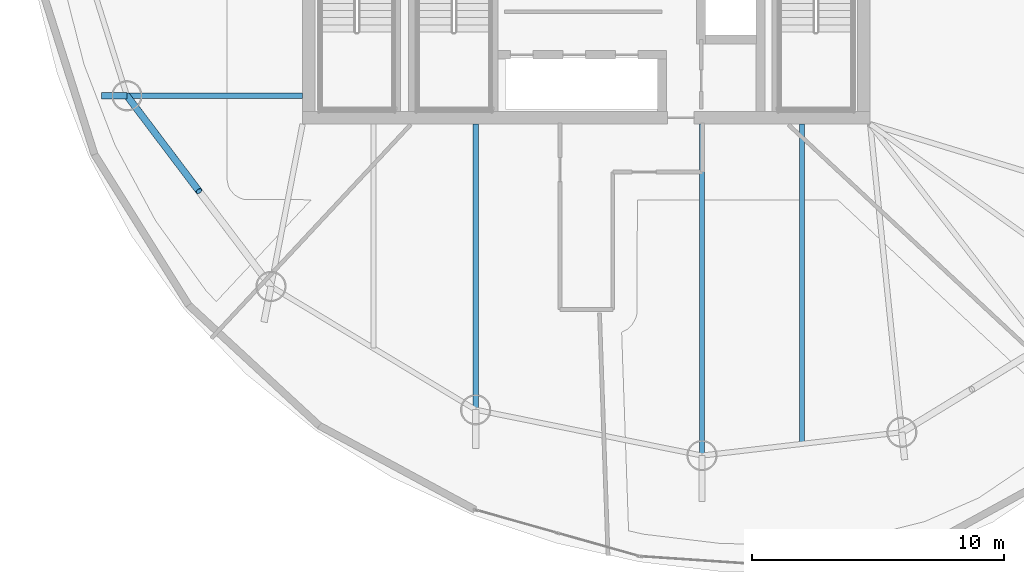
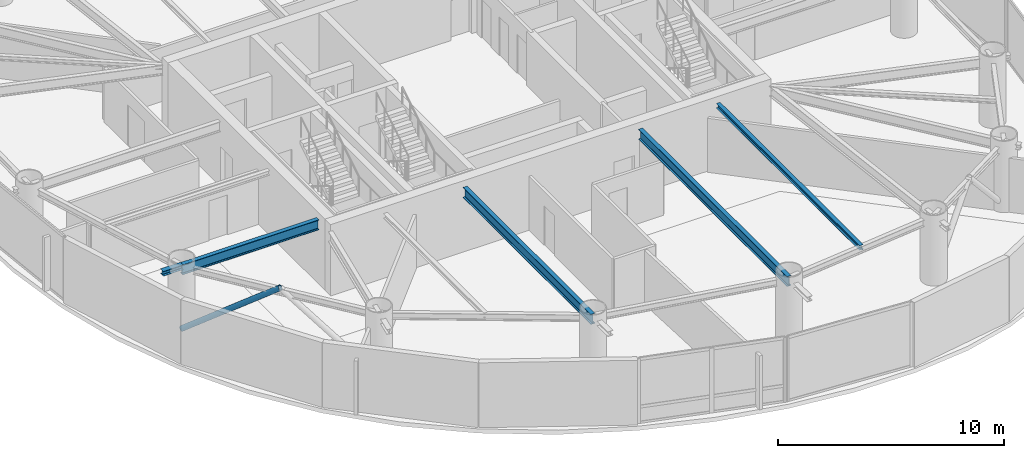
# One storey, part 3 of 18: 5 beams, 1 member.
"""IFC4 building model written with IfcOpenShell, lengths in metres."""

from ifc_helpers import new_model, si_unit, direction, frame, origin, origin_2d, place, context, subcontext, project, spatial, hollow_circle, i_section, extrude, material, material_profile, profile_set, type_object, element, save


model = new_model("IFC4")

# Units and contexts
model_context = context("Model", 3, precision=1e-05, world=origin(), true_north=direction((0.0, 1.0)))
body_context = subcontext(model_context, "Body", "Model", "MODEL_VIEW")
ifc_project = project(units=[si_unit("LENGTHUNIT", "METRE"), si_unit("AREAUNIT", "SQUARE_METRE"), si_unit("VOLUMEUNIT", "CUBIC_METRE"), si_unit("PLANEANGLEUNIT", "RADIAN"), si_unit("MASSUNIT", "GRAM", prefix="KILO")], contexts=[model_context])

# Site, building, storey
site_placement = place(None, origin())
site = spatial("IfcSite", under=ifc_project, at=site_placement, CompositionType="ELEMENT")
building_placement = place(site_placement, origin())
building = spatial("IfcBuilding", under=site, at=building_placement, Name="Bramvorn Convention Spire", CompositionType="ELEMENT")
storey_placement = place(building_placement, frame((0.0, 0.0, 232.800048828125)))
storey = spatial("IfcBuildingStorey", under=building, at=storey_placement, Name="L59", CompositionType="ELEMENT", Elevation=232.800048828125)

# Beams
ifc_material = material(Name="Steel CSA G40.21 Grade 350 (350W)", Category="steel")
ifc_material_profile_1 = material_profile(ifc_material, i_section(OverallWidth=0.201904296875, OverallDepth=0.2470703125, WebThickness=0.00732421875, FlangeThickness=0.010986328125, FilletRadius=0.011962890625, at=origin_2d()))
ifc_profile_set_1 = profile_set([ifc_material_profile_1], Name="Steel CSA G40.21 Grade 350 (350W) - W250X49")
beam_type_1 = type_object("IfcBeamType", Name="BM-W250X49", PredefinedType="JOIST", material=ifc_profile_set_1)
beam_1_placement = place(storey_placement, frame((46.544189453125, 18.550048828125, 3.37646484375), z_axis=(0.0, -1.0, 0.0), x_axis=(1.0, 0.0, 0.0)))
element("IfcBeam", 1, at=beam_1_placement, inside=storey, type_object=beam_type_1, Name="L59 composite floor joist 15", PredefinedType="JOIST", context=body_context, shape_type="SweptSolid", body=[
    extrude(i_section(OverallWidth=0.201904296875, OverallDepth=0.2470703125, WebThickness=0.00732421875, FlangeThickness=0.010986328125, FilletRadius=0.011962890625, at=origin_2d()), origin(), (0.0, 0.0, 1.0), 12.67626953125),
])
ifc_material_profile_2 = material_profile(ifc_material, i_section(OverallWidth=0.25390625, OverallDepth=0.2529296875, WebThickness=0.008544921875, FlangeThickness=0.01416015625, FilletRadius=0.011962890625, at=origin_2d()))
ifc_profile_set_2 = profile_set([ifc_material_profile_2], Name="Steel CSA G40.21 Grade 350 (350W) - W250X73")
beam_type_2 = type_object("IfcBeamType", Name="BM-W250X73", PredefinedType="BEAM", material=ifc_profile_set_2)
beam_2_placement = place(storey_placement, frame((19.78955078125, 19.672607421875, 3.37353515625), z_axis=(-1.0, 0.0, 0.0), x_axis=(0.0, -1.0, 0.0)))
element("IfcBeam", 2, at=beam_2_placement, inside=storey, type_object=beam_type_2, Name="L59 slab-edge cantilever tip beam MC12", PredefinedType="BEAM", context=body_context, shape_type="SweptSolid", body=[
    extrude(i_section(OverallWidth=0.25390625, OverallDepth=0.2529296875, WebThickness=0.008544921875, FlangeThickness=0.01416015625, FilletRadius=0.011962890625, at=origin_2d()), origin(), (0.0, 0.0, 1.0), 1.00537109375),
])
ifc_material_profile_3 = material_profile(ifc_material, i_section(OverallWidth=0.2119140625, OverallDepth=0.5439453125, WebThickness=0.01318359375, FlangeThickness=0.021240234375, FilletRadius=0.01904296875, at=origin_2d()))
ifc_profile_set_3 = profile_set([ifc_material_profile_3], Name="Steel CSA G40.21 Grade 350 (350W) - W530X123")
beam_type_3 = type_object("IfcBeamType", Name="BM-W530X123", PredefinedType="BEAM", material=ifc_profile_set_3)
beam_3_placement = place(storey_placement, frame((26.75, 19.672607421875, 3.22802734375), z_axis=(-1.0, 0.0, 0.0), x_axis=(0.0, -1.0, 0.0)))
element("IfcBeam", 3, at=beam_3_placement, inside=storey, type_object=beam_type_3, Name="L59 radial floor girder MC12", PredefinedType="BEAM", context=body_context, shape_type="SweptSolid", body=[
    extrude(i_section(OverallWidth=0.2119140625, OverallDepth=0.5439453125, WebThickness=0.01318359375, FlangeThickness=0.021240234375, FilletRadius=0.01904296875, at=origin_2d()), origin(), (0.0, 0.0, 1.0), 6.96044921875),
])
beam_4_placement = place(storey_placement, frame((33.61083984375, 18.550048828125, 3.22802734375), z_axis=(0.0, -1.0, 0.0), x_axis=(1.0, 0.0, 0.0)))
element("IfcBeam", 4, at=beam_4_placement, inside=storey, type_object=beam_type_3, Name="L59 radial floor girder MC14", PredefinedType="BEAM", context=body_context, shape_type="SweptSolid", body=[
    extrude(i_section(OverallWidth=0.2119140625, OverallDepth=0.5439453125, WebThickness=0.01318359375, FlangeThickness=0.021240234375, FilletRadius=0.01904296875, at=origin_2d()), origin(), (0.0, 0.0, 1.0), 11.322265625),
])
beam_5_placement = place(storey_placement, frame((42.583740234375, 18.550048828125, 3.22802734375), z_axis=(0.0, -1.0, 0.0), x_axis=(1.0, 0.0, 0.0)))
element("IfcBeam", 5, at=beam_5_placement, inside=storey, type_object=beam_type_3, Name="L59 radial floor girder MC15", PredefinedType="BEAM", context=body_context, shape_type="SweptSolid", body=[
    extrude(i_section(OverallWidth=0.2119140625, OverallDepth=0.5439453125, WebThickness=0.01318359375, FlangeThickness=0.021240234375, FilletRadius=0.01904296875, at=origin_2d()), origin(), (0.0, 0.0, 1.0), 13.138427734375),
])

# Member
ifc_material_profile_4 = material_profile(ifc_material, hollow_circle(Radius=0.136474609375, WallThickness=0.0126953125, at=origin_2d()))
ifc_profile_set_4 = profile_set([ifc_material_profile_4], Name="Steel CSA G40.21 Grade 350 (350W) - CHS273X13")
member_type = type_object("IfcMemberType", Name="MBR-CHS273X13", PredefinedType="BRACE", material=ifc_profile_set_4)
member_placement = place(storey_placement, frame((19.78955078125, 19.672607421875, 0.0), z_axis=(0.484703799944, -0.641711180869, 0.594364355145), x_axis=(0.797953827999, 0.602718581414, 0.0)))
element("IfcMember", 6, at=member_placement, inside=storey, type_object=member_type, Name="L59 perimeter Gothic lancet brace 12A", PredefinedType="BRACE", context=body_context, shape_type="SweptSolid", body=[
    extrude(hollow_circle(Radius=0.136474609375, WallThickness=0.0126953125, at=origin_2d()), origin(), (0.0, 0.0, 1.0), 5.888671875),
])

save(model, "model.ifc")
